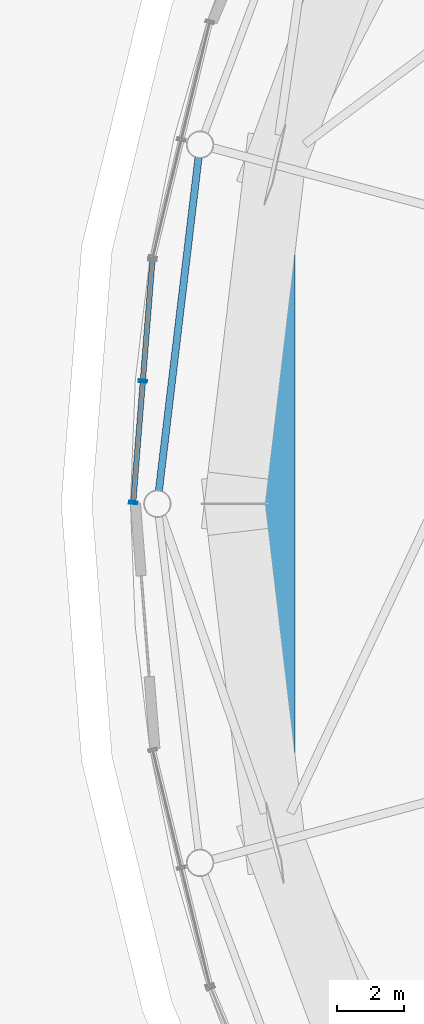
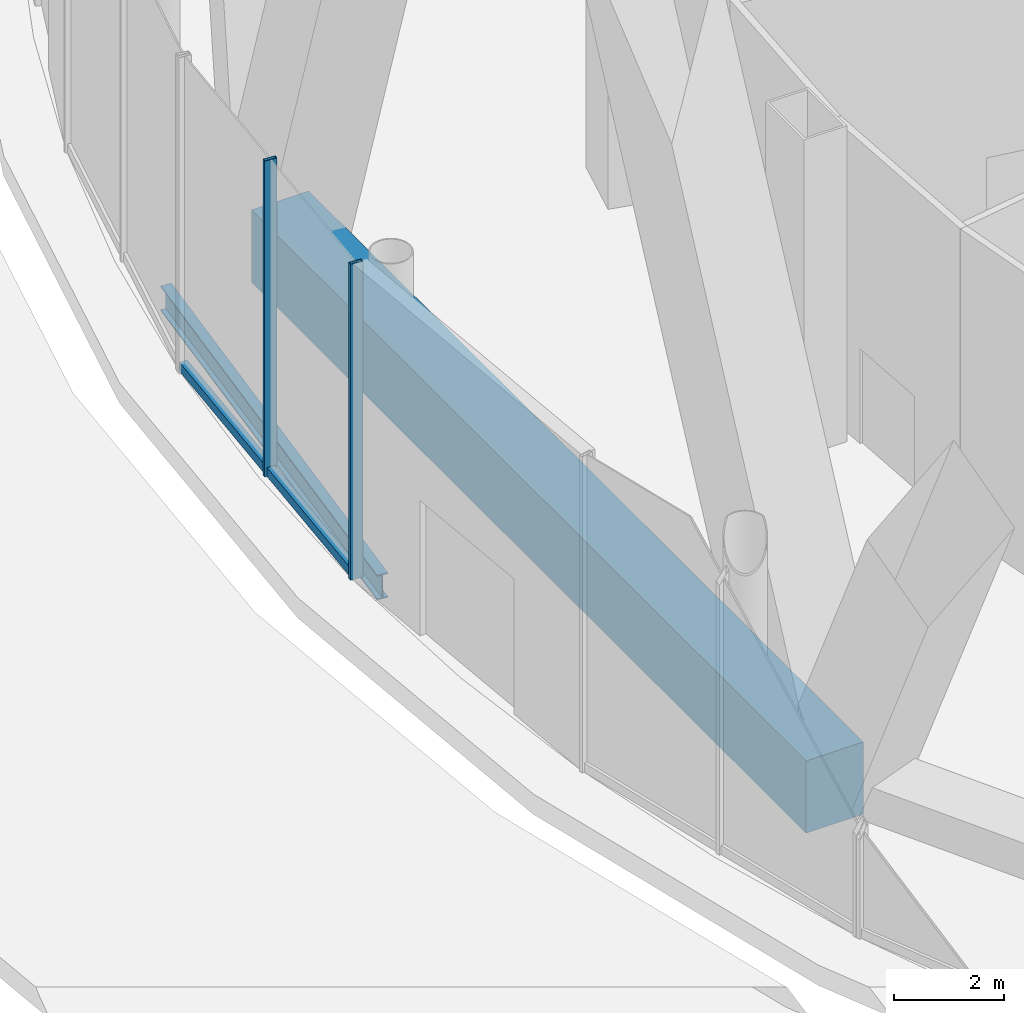
# One storey, part 24 of 67: 4 members, 1 beam, 1 element without a shape of its own.
"""IFC4 building model written with IfcOpenShell, lengths in metres."""

from ifc_helpers import new_model, si_unit, direction, frame, origin, origin_2d, place, context, subcontext, project, spatial, rectangle, hollow_rectangle, i_section, extrude, material, layer, layer_set, material_profile, profile_set, type_object, element, aggregate, save


model = new_model("IFC4")

# Units and contexts
model_context = context("Model", 3, precision=1e-05, world=origin(), true_north=direction((0.0, 1.0)))
body_context = subcontext(model_context, "Body", "Model", "MODEL_VIEW")
ifc_project = project(units=[si_unit("LENGTHUNIT", "METRE"), si_unit("AREAUNIT", "SQUARE_METRE"), si_unit("VOLUMEUNIT", "CUBIC_METRE"), si_unit("PLANEANGLEUNIT", "RADIAN"), si_unit("MASSUNIT", "GRAM", prefix="KILO")], contexts=[model_context])

# Site, building, storey
site_placement = place(None, origin())
site = spatial("IfcSite", under=ifc_project, at=site_placement, CompositionType="ELEMENT")
building_placement = place(site_placement, origin())
building = spatial("IfcBuilding", under=site, at=building_placement, Name="Nagisa Residences", CompositionType="ELEMENT")
storey_placement = place(building_placement, origin())
storey = spatial("IfcBuildingStorey", under=building, at=storey_placement, Name="L00", CompositionType="ELEMENT", Elevation=0.0)

# Beam
ifc_material_1 = material(Name="Steel ASTM A572 Gr 50", Category="steel")
ifc_material_profile_1 = material_profile(ifc_material_1, i_section(OverallWidth=0.214111328125, OverallDepth=0.549072265625, WebThickness=0.0146484375, FlangeThickness=0.023681640625, at=origin_2d()), Name="W530x138")
ifc_profile_set_1 = profile_set([ifc_material_profile_1], Name="Steel ASTM A572 Gr 50")
beam_type = type_object("IfcBeamType", Name="Atrium ring beam W530x138", PredefinedType="BEAM", material=ifc_profile_set_1)
beam_placement = place(storey_placement, frame((-32.378173828125, 10.279541015625, -0.674560546875), z_axis=(-0.118035165542, -0.993009415713, 0.0), x_axis=(0.993009415713, -0.118035165542, 0.0)))
element("IfcBeam", 1, at=beam_placement, inside=storey, type_object=beam_type, Name="beam:L00:ab12", PredefinedType="BEAM", context=body_context, shape_type="SweptSolid", body=[
    extrude(i_section(OverallWidth=0.214111328125, OverallDepth=0.549072265625, WebThickness=0.0146484375, FlangeThickness=0.023681640625, at=origin_2d()), origin(), (0.0, 0.0, 1.0), 9.96533203125),
])

# Curtain wall, members
ifc_material_2 = material(Name="Stainless steel curtain wall system", Category="steel")
ifc_layer = layer(ifc_material_2, 0.159912109375)
ifc_layer_set = layer_set([ifc_layer], Name="CW3 CURTAIN WALL")
curtain_wall_type = type_object("IfcCurtainWallType", Name="CW3 CURTAIN WALL", PredefinedType="NOTDEFINED", material=ifc_layer_set)
curtain_wall_placement = place(storey_placement, origin())
curtain_wall = element("IfcCurtainWall", 2, at=curtain_wall_placement, inside=storey, type_object=curtain_wall_type, Name="cw:CW3:L00:17", PredefinedType="NOTDEFINED")
ifc_material_3 = material(Name="Stainless steel", Category="steel")
ifc_material_profile_2 = material_profile(ifc_material_3, hollow_rectangle(XDim=0.25, YDim=0.080078125, WallThickness=0.008056640625, at=origin_2d()), Name="CW3 MULLION 250x80")
ifc_profile_set_2 = profile_set([ifc_material_profile_2], Name="Stainless steel")
member_type_1 = type_object("IfcMemberType", Name="CW3 MULLION 250x80", PredefinedType="MULLION", material=ifc_profile_set_2)
member_1_placement = place(storey_placement, frame((-34.031494140625, 3.640380859375, 0.0), z_axis=(0.0, 0.0, 1.0), x_axis=(0.996881777235, -0.078909582539, 0.0)))
member_1 = element("IfcMember", 3, at=member_1_placement, type_object=member_type_1, Name="CW3 mullion", PredefinedType="MULLION", context=body_context, shape_type="SweptSolid", body=[
    extrude(hollow_rectangle(XDim=0.25, YDim=0.080078125, WallThickness=0.008056640625, at=origin_2d()), origin(), (0.0, 0.0, 1.0), 7.0),
])
member_2_placement = place(storey_placement, frame((-34.317138671875, 0.033447265625, 0.0), z_axis=(0.0, 0.0, 1.0), x_axis=(0.996881777235, -0.078909582539, 0.0)))
member_2 = element("IfcMember", 4, at=member_2_placement, type_object=member_type_1, Name="CW3 mullion", PredefinedType="MULLION", context=body_context, shape_type="SweptSolid", body=[
    extrude(hollow_rectangle(XDim=0.25, YDim=0.080078125, WallThickness=0.008056640625, at=origin_2d()), origin(), (0.0, 0.0, 1.0), 7.0),
])
ifc_material_4 = material(Name="Stainless steel", Category="steel")
ifc_material_profile_3 = material_profile(ifc_material_4, hollow_rectangle(XDim=0.159912109375, YDim=0.199951171875, WallThickness=0.008056640625, at=origin_2d()), Name="CW3 TRANSOM 160x200")
ifc_profile_set_3 = profile_set([ifc_material_profile_3], Name="Stainless steel")
member_type_2 = type_object("IfcMemberType", Name="CW3 TRANSOM 160x200", PredefinedType="USERDEFINED", material=ifc_profile_set_3)
member_3_placement = place(storey_placement, frame((-33.742919921875, 7.286865234375, 0.10009765625), z_axis=(-0.078921540002, -0.996880830653, 0.0), x_axis=(0.996880830653, -0.078921540002, 0.0)))
member_3 = element("IfcMember", 5, at=member_3_placement, type_object=member_type_2, Name="CW3 transom", ObjectType="TRANSOM", PredefinedType="USERDEFINED", context=body_context, shape_type="SweptSolid", body=[
    extrude(hollow_rectangle(XDim=0.159912109375, YDim=0.199951171875, WallThickness=0.008056640625, at=origin_2d()), origin(), (0.0, 0.0, 1.0), 7.31591796875),
])
aggregate(curtain_wall, [member_1, member_2, member_3])

# Member
ifc_material_5 = material(Name="Concrete C80", Category="concrete")
ifc_material_profile_4 = material_profile(ifc_material_5, rectangle(XDim=1.199951171875, YDim=1.60009765625, at=origin_2d()), Name="C80 1200x1600")
ifc_profile_set_4 = profile_set([ifc_material_profile_4], Name="Concrete C80")
member_type_3 = type_object("IfcMemberType", Name="Cage ring 1 C80 1200x1600", PredefinedType="CHORD", material=ifc_profile_set_4)
member_4_placement = place(storey_placement, frame((-30.11083984375, 10.068115234375, 0.0), z_axis=(0.0, -1.0, 0.0), x_axis=(1.0, 0.0, 0.0)))
element("IfcMember", 6, at=member_4_placement, inside=storey, type_object=member_type_3, Name="beam:L00:cg1r006", PredefinedType="CHORD", context=body_context, shape_type="SweptSolid", body=[
    extrude(rectangle(XDim=1.199951171875, YDim=1.60009765625, at=origin_2d()), origin(), (0.0, 0.0, 1.0), 20.13623046875),
])

save(model, "model.ifc")
